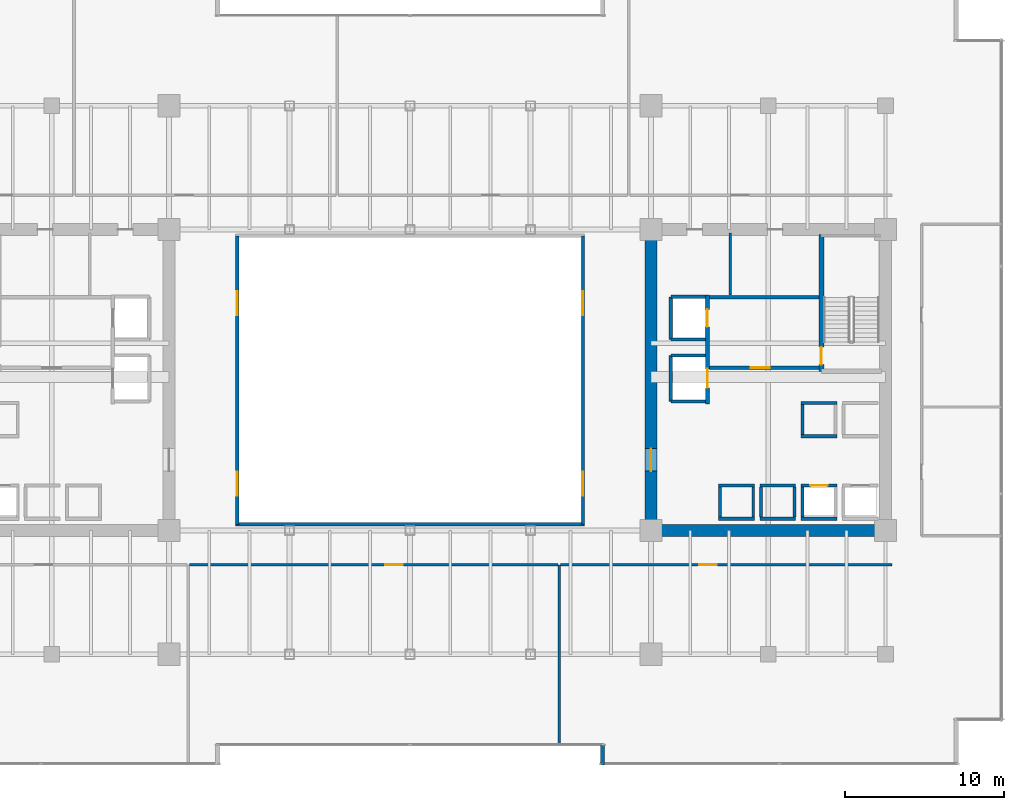
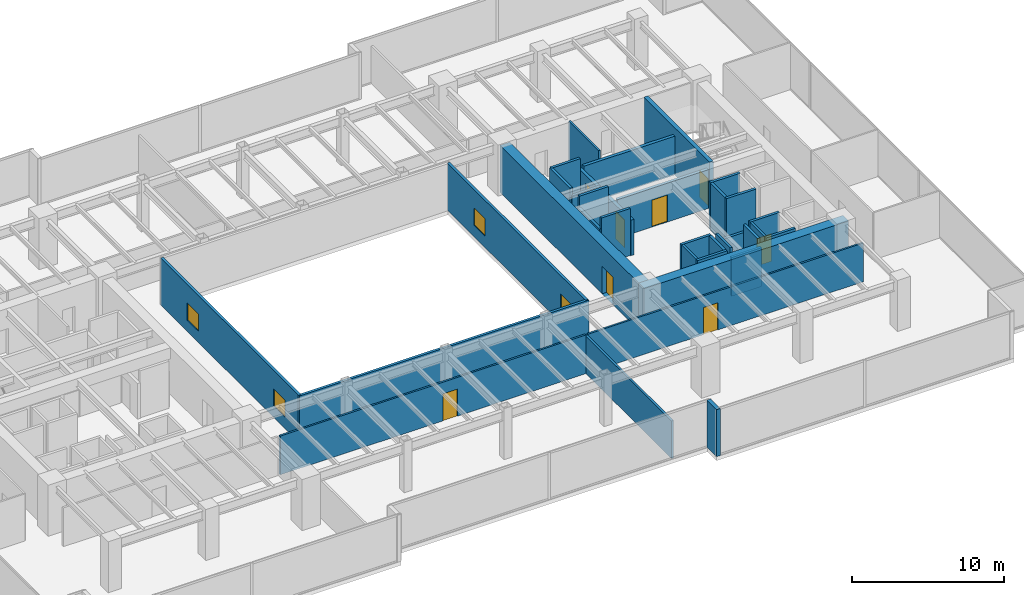
# One storey, part 30 of 35: 34 walls, 8 doors, 4 windows, 12 openings.
"""IFC4 building model written with IfcOpenShell, lengths in metres."""

from ifc_helpers import new_model, si_unit, direction, frame, frame_2d, origin, place, context, subcontext, project, spatial, rectangle, extrude, source, transform, mapped, material, layer, layer_set, type_object, type_shapes, element, fill, save


model = new_model("IFC4")

# Units and contexts
model_context = context("Model", 3, precision=1e-05, world=origin(), true_north=direction((0.0, 1.0)))
body_context = subcontext(model_context, "Body", "Model", "MODEL_VIEW")
ifc_project = project(units=[si_unit("LENGTHUNIT", "METRE"), si_unit("AREAUNIT", "SQUARE_METRE"), si_unit("VOLUMEUNIT", "CUBIC_METRE"), si_unit("PLANEANGLEUNIT", "RADIAN"), si_unit("MASSUNIT", "GRAM", prefix="KILO")], contexts=[model_context])

# Site, building, storey
site_placement = place(None, origin())
site = spatial("IfcSite", under=ifc_project, at=site_placement, CompositionType="ELEMENT")
building_placement = place(site_placement, origin())
building = spatial("IfcBuilding", under=site, at=building_placement, Name="Haelvirn Gate Laboratories", CompositionType="ELEMENT")
storey_placement = place(building_placement, frame((0.0, 0.0, 90.800048828125)))
storey = spatial("IfcBuildingStorey", under=building, at=storey_placement, Name="L22", CompositionType="ELEMENT", Elevation=90.800048828125)

# Walls
ifc_material_1 = material(Name="Thermally-broken bronze aluminium rainscreen & mineral wool", Category="aluminium")
ifc_layer_1 = layer(ifc_material_1, 0.280029296875, Name="EW-TERR-280")
ifc_layer_set_1 = layer_set([ifc_layer_1], Name="Thermally-broken bronze aluminium rainscreen & mineral wool")
wall_type_1 = type_object("IfcWallType", Name="EW-TERR-280", PredefinedType="STANDARD", material=ifc_layer_set_1)
wall_1_placement = place(storey_placement, frame((49.5400390625, 1.2880859375, 0.0), z_axis=(0.0, 0.0, 1.0), x_axis=(0.0, -1.0, 0.0)))
element("IfcWall", 1, at=wall_1_placement, inside=storey, type_object=wall_type_1, Name="L22 Atrium Recess Bronze Return Wall 03", PredefinedType="STANDARD", context=body_context, shape_type="SweptSolid", body=[
    extrude(rectangle(XDim=1.2880859375, YDim=0.280029296875, at=frame_2d((0.64404296875, 0.0))), origin(), (0.0, 0.0, 1.0), 3.780029296875),
])
ifc_material_2 = material(Name="Double-layer acoustic gypsum laboratory partition", Category="gypsum")
ifc_layer_2 = layer(ifc_material_2, 0.159912109375, Name="IW-ACOUST-160")
ifc_layer_set_2 = layer_set([ifc_layer_2], Name="Double-layer acoustic gypsum laboratory partition")
wall_type_2 = type_object("IfcWallType", Name="IW-ACOUST-160", PredefinedType="PARTITIONING", material=ifc_layer_set_2)
wall_2_placement = place(storey_placement, frame((46.800048828125, 1.31005859375, 0.0), z_axis=(0.0, 0.0, 1.0), x_axis=(0.0, 1.0, 0.0)))
element("IfcWall", 2, at=wall_2_placement, inside=storey, type_object=wall_type_2, Name="L22 Interior Wall IW-L22-SDIV-02", PredefinedType="PARTITIONING", context=body_context, shape_type="SweptSolid", body=[
    extrude(rectangle(XDim=11.329833984375, YDim=0.159912109375, at=frame_2d((5.6650390625, 0.0))), origin(), (0.0, 0.0, 1.0), 3.014892578125),
])

# Wall, openings, windows
ifc_material_3 = material(Name="Tempered fire-rated borosilicate glass & anodised aluminium", Category="aluminium")
ifc_layer_3 = layer(ifc_material_3, 0.195068359375, Name="IW-GLAZ-200")
ifc_layer_set_3 = layer_set([ifc_layer_3], Name="Tempered fire-rated borosilicate glass & anodised aluminium")
wall_type_3 = type_object("IfcWallType", Name="IW-GLAZ-200", PredefinedType="SOLIDWALL", material=ifc_layer_set_3)
wall_3_placement = place(storey_placement, frame((26.5, 15.199951171875, 0.0), z_axis=(0.0, 0.0, 1.0), x_axis=(0.0, 1.0, 0.0)))
wall_3 = element("IfcWall", 3, at=wall_3_placement, inside=storey, type_object=wall_type_3, Name="L22 Interior Wall IW-L22-ATRIUM-W", PredefinedType="SOLIDWALL", context=body_context, shape_type="SweptSolid", body=[
    extrude(rectangle(XDim=18.199951171875, YDim=0.195068359375, at=frame_2d((9.10009765625, 0.0))), origin(), (0.0, 0.0, 1.0), 3.780029296875),
])
opening_1_placement = place(wall_3_placement, frame((1.800048828125, 0.0, 0.89990234375)))
opening_1 = element("IfcOpeningElement", 4, at=opening_1_placement, cuts=wall_3, Name="Opening W5", PredefinedType="OPENING", context=body_context, shape_type="SweptSolid", body=[
    extrude(rectangle(XDim=1.5, YDim=1.39990234375, at=frame_2d((0.75, 0.699951171875))), frame((0.0, 0.107421875, 0.0), z_axis=(0.0, -1.0, 0.0), x_axis=(1.0, 0.0, 0.0)), (0.0, 0.0, 1.0), 0.215087890625),
])
opening_2_placement = place(wall_3_placement, frame((13.199951171875, 0.0, 0.89990234375)))
opening_2 = element("IfcOpeningElement", 5, at=opening_2_placement, cuts=wall_3, Name="Opening W5", PredefinedType="OPENING", context=body_context, shape_type="SweptSolid", body=[
    extrude(rectangle(XDim=1.5, YDim=1.39990234375, at=frame_2d((0.75, 0.699951171875))), frame((0.0, 0.107421875, 0.0), z_axis=(0.0, -1.0, 0.0), x_axis=(1.0, 0.0, 0.0)), (0.0, 0.0, 1.0), 0.215087890625),
])
ifc_material_4 = material(Name="Fire-rated EI 120 borosilicate atrium vision glazing", Category="glass")
window_type = type_object("IfcWindowType", Name="WN-ATR-1500", PartitioningType="SINGLE_PANEL", PredefinedType="WINDOW", material=ifc_material_4)
shared_shape_1 = source(origin(), body_context, "Body", "SweptSolid", [
    extrude(rectangle(XDim=1.5, YDim=1.39990234375, at=frame_2d((0.75, 0.699951171875))), frame((0.0, 0.030029296875, 0.0), z_axis=(0.0, -1.0, 0.0), x_axis=(1.0, 0.0, 0.0)), (0.0, 0.0, 1.0), 0.06005859375),
])
type_shapes(window_type, [shared_shape_1])
window_1_placement = place(opening_1_placement, origin())
window_1 = element("IfcWindow", 6, at=window_1_placement, inside=storey, type_object=window_type, Name="L22 Atrium Observation Window 1", OverallHeight=1.39990234375, OverallWidth=1.5, PartitioningType="SINGLE_PANEL", PredefinedType="WINDOW", context=body_context, shape_type="MappedRepresentation", body=[
    mapped(shared_shape_1, transform((0.0, 0.0, 0.0), scale=1.0)),
])
fill(opening_1, window_1)
window_2_placement = place(opening_2_placement, origin())
window_2 = element("IfcWindow", 7, at=window_2_placement, inside=storey, type_object=window_type, Name="L22 Atrium Observation Window 2", OverallHeight=1.39990234375, OverallWidth=1.5, PartitioningType="SINGLE_PANEL", PredefinedType="WINDOW", context=body_context, shape_type="MappedRepresentation", body=[
    mapped(shared_shape_1, transform((0.0, 0.0, 0.0), scale=1.0)),
])
fill(opening_2, window_2)

wall_4_placement = place(storey_placement, frame((48.300048828125, 15.199951171875, 0.0), z_axis=(0.0, 0.0, 1.0), x_axis=(0.0, 1.0, 0.0)))
wall_4 = element("IfcWall", 8, at=wall_4_placement, inside=storey, type_object=wall_type_3, Name="L22 Interior Wall IW-L22-ATRIUM-E", PredefinedType="SOLIDWALL", context=body_context, shape_type="SweptSolid", body=[
    extrude(rectangle(XDim=18.199951171875, YDim=0.195068359375, at=frame_2d((9.10009765625, 0.0))), origin(), (0.0, 0.0, 1.0), 3.780029296875),
])
opening_3_placement = place(wall_4_placement, frame((1.800048828125, 0.0, 0.89990234375)))
opening_3 = element("IfcOpeningElement", 9, at=opening_3_placement, cuts=wall_4, Name="Opening W5", PredefinedType="OPENING", context=body_context, shape_type="SweptSolid", body=[
    extrude(rectangle(XDim=1.5, YDim=1.39990234375, at=frame_2d((0.75, 0.699951171875))), frame((0.0, 0.107421875, 0.0), z_axis=(0.0, -1.0, 0.0), x_axis=(1.0, 0.0, 0.0)), (0.0, 0.0, 1.0), 0.215087890625),
])
opening_4_placement = place(wall_4_placement, frame((13.199951171875, 0.0, 0.89990234375)))
opening_4 = element("IfcOpeningElement", 10, at=opening_4_placement, cuts=wall_4, Name="Opening W5", PredefinedType="OPENING", context=body_context, shape_type="SweptSolid", body=[
    extrude(rectangle(XDim=1.5, YDim=1.39990234375, at=frame_2d((0.75, 0.699951171875))), frame((0.0, 0.107421875, 0.0), z_axis=(0.0, -1.0, 0.0), x_axis=(1.0, 0.0, 0.0)), (0.0, 0.0, 1.0), 0.215087890625),
])
window_3_placement = place(opening_3_placement, origin())
window_3 = element("IfcWindow", 11, at=window_3_placement, inside=storey, type_object=window_type, Name="L22 Atrium Observation Window 1", OverallHeight=1.39990234375, OverallWidth=1.5, PartitioningType="SINGLE_PANEL", PredefinedType="WINDOW", context=body_context, shape_type="MappedRepresentation", body=[
    mapped(shared_shape_1, transform((0.0, 0.0, 0.0), scale=1.0)),
])
fill(opening_3, window_3)
window_4_placement = place(opening_4_placement, origin())
window_4 = element("IfcWindow", 12, at=window_4_placement, inside=storey, type_object=window_type, Name="L22 Atrium Observation Window 2", OverallHeight=1.39990234375, OverallWidth=1.5, PartitioningType="SINGLE_PANEL", PredefinedType="WINDOW", context=body_context, shape_type="MappedRepresentation", body=[
    mapped(shared_shape_1, transform((0.0, 0.0, 0.0), scale=1.0)),
])
fill(opening_4, window_4)

# Wall
wall_5_placement = place(storey_placement, frame((26.39990234375, 15.199951171875, 0.0), z_axis=(0.0, 0.0, 1.0), x_axis=(1.0, 0.0, 0.0)))
element("IfcWall", 13, at=wall_5_placement, inside=storey, type_object=wall_type_3, Name="L22 Interior Wall IW-L22-ATRIUM-S", PredefinedType="SOLIDWALL", context=body_context, shape_type="SweptSolid", body=[
    extrude(rectangle(XDim=22.0, YDim=0.195068359375, at=frame_2d((11.0, 0.0))), origin(), (0.0, 0.0, 1.0), 3.780029296875),
])

# Wall, opening, door
ifc_material_5 = material(Name="Acoustic mineral-wool gypsum board partition", Category="gypsum")
ifc_layer_4 = layer(ifc_material_5, 0.139892578125, Name="IW-PART-140")
ifc_layer_set_4 = layer_set([ifc_layer_4], Name="Acoustic mineral-wool gypsum board partition")
wall_type_4 = type_object("IfcWallType", Name="IW-PART-140", PredefinedType="PARTITIONING", material=ifc_layer_set_4)
wall_6_placement = place(storey_placement, frame((23.47998046875, 12.639892578125, 0.0), z_axis=(0.0, 0.0, 1.0), x_axis=(1.0, 0.0, 0.0)))
wall_6 = element("IfcWall", 14, at=wall_6_placement, inside=storey, type_object=wall_type_4, Name="L22 Interior Wall IW-L22-SCORR-02", PredefinedType="PARTITIONING", context=body_context, shape_type="SweptSolid", body=[
    extrude(rectangle(XDim=23.239990234375, YDim=0.139892578125, at=frame_2d((11.6201171875, 0.0))), origin(), (0.0, 0.0, 1.0), 3.114990234375),
])
opening_5_placement = place(wall_6_placement, frame((12.3564453125, 0.0, 0.0)))
opening_5 = element("IfcOpeningElement", 15, at=opening_5_placement, cuts=wall_6, Name="Opening D1", PredefinedType="OPENING", context=body_context, shape_type="SweptSolid", body=[
    extrude(rectangle(XDim=1.10009765625, YDim=2.179931640625, at=frame_2d((0.550048828125, 1.08984375))), frame((0.0, 0.080078125, 0.0), z_axis=(0.0, -1.0, 0.0), x_axis=(1.0, 0.0, 0.0)), (0.0, 0.0, 1.0), 0.159912109375),
])
ifc_material_6 = material(Name="Vision-panel acoustic solid-core timber lab door", Category="wood")
door_type_1 = type_object("IfcDoorType", Name="DR-LAB-1100", OperationType="NOTDEFINED", PredefinedType="DOOR", material=ifc_material_6)
shared_shape_2 = source(origin(), body_context, "Body", "SweptSolid", [
    extrude(rectangle(XDim=1.10009765625, YDim=2.179931640625, at=frame_2d((0.550048828125, 1.08984375))), frame((0.0, 0.02490234375, 0.0), z_axis=(0.0, -1.0, 0.0), x_axis=(1.0, 0.0, 0.0)), (0.0, 0.0, 1.0), 0.050048828125),
])
type_shapes(door_type_1, [shared_shape_2])
door_1_placement = place(opening_5_placement, origin())
door_1 = element("IfcDoor", 16, at=door_1_placement, inside=storey, type_object=door_type_1, Name="L22 Computational Write-Up Office Door S2", OperationType="SINGLE_SWING_RIGHT", OverallHeight=2.179931640625, OverallWidth=1.10009765625, PredefinedType="DOOR", context=body_context, shape_type="MappedRepresentation", body=[
    mapped(shared_shape_2, transform((0.0, 0.0, 0.0), scale=1.0)),
])
fill(opening_5, door_1)

wall_7_placement = place(storey_placement, frame((46.8798828125, 12.639892578125, 0.0), z_axis=(0.0, 0.0, 1.0), x_axis=(1.0, 0.0, 0.0)))
wall_7 = element("IfcWall", 17, at=wall_7_placement, inside=storey, type_object=wall_type_4, Name="L22 Interior Wall IW-L22-SCORR-03", PredefinedType="PARTITIONING", context=body_context, shape_type="SweptSolid", body=[
    extrude(rectangle(XDim=20.940185546875, YDim=0.139892578125, at=frame_2d((10.47021484375, 0.0))), origin(), (0.0, 0.0, 1.0), 3.114990234375),
])
opening_6_placement = place(wall_7_placement, frame((8.771484375, 0.0, 0.0)))
opening_6 = element("IfcOpeningElement", 18, at=opening_6_placement, cuts=wall_7, Name="Opening D1", PredefinedType="OPENING", context=body_context, shape_type="SweptSolid", body=[
    extrude(rectangle(XDim=1.10009765625, YDim=2.179931640625, at=frame_2d((0.550048828125, 1.08984375))), frame((0.0, 0.080078125, 0.0), z_axis=(0.0, -1.0, 0.0), x_axis=(1.0, 0.0, 0.0)), (0.0, 0.0, 1.0), 0.159912109375),
])
door_2_placement = place(opening_6_placement, origin())
door_2 = element("IfcDoor", 19, at=door_2_placement, inside=storey, type_object=door_type_1, Name="L22 Bioinformatics Dry-Lab Workspace Door S3", OperationType="SINGLE_SWING_LEFT", OverallHeight=2.179931640625, OverallWidth=1.10009765625, PredefinedType="DOOR", context=body_context, shape_type="MappedRepresentation", body=[
    mapped(shared_shape_2, transform((0.0, 0.0, 0.0), scale=1.0)),
])
fill(opening_6, door_2)

# Walls
ifc_material_7 = material(Name="Cement-board restroom plumbing chase wall", Category="gypsum")
ifc_layer_5 = layer(ifc_material_7, 0.155029296875, Name="IW-PLUMB-160")
ifc_layer_set_5 = layer_set([ifc_layer_5], Name="Cement-board restroom plumbing chase wall")
wall_type_5 = type_object("IfcWallType", Name="IW-PLUMB-160", PredefinedType="PLUMBINGWALL", material=ifc_layer_set_5)
wall_8_placement = place(storey_placement, frame((57.610107421875, 29.64990234375, 0.0), z_axis=(0.0, 0.0, 1.0), x_axis=(0.0, 1.0, 0.0)))
element("IfcWall", 20, at=wall_8_placement, inside=storey, type_object=wall_type_5, Name="L22 Interior Wall IW-L22-E-CDIV-1", PredefinedType="PLUMBINGWALL", context=body_context, shape_type="SweptSolid", body=[
    extrude(rectangle(XDim=3.93017578125, YDim=0.155029296875, at=frame_2d((1.965087890625, 0.0))), origin(), (0.0, 0.0, 1.0), 3.780029296875),
])
ifc_material_8 = material(Name="Concrete C40/50", Category="concrete")
ifc_layer_6 = layer(ifc_material_8, 0.179931640625, Name="IW-SHAFT-180")
ifc_layer_set_6 = layer_set([ifc_layer_6], Name="Concrete C40/50")
wall_type_6 = type_object("IfcWallType", Name="IW-SHAFT-180", PredefinedType="SOLIDWALL", material=ifc_layer_set_6)
for number, where, z_axis, x_axis, name in (
    (21, (62.14990234375, 15.64990234375, 0.0), (0.0, 0.0, 1.0), (0.0, 1.0, 0.0), "L22 Interior Wall IW-L22-PL4-SD"),
    (22, (59.550048828125, 15.64990234375, 0.0), (0.0, 0.0, 1.0), (0.0, 1.0, 0.0), "L22 Interior Wall IW-L22-PL7-SD"),
    (23, (61.64990234375, 15.64990234375, 0.0), (0.0, 0.0, 1.0), (0.0, 1.0, 0.0), "L22 Interior Wall IW-L22-PL7-SDE"),
    (24, (56.949951171875, 15.64990234375, 0.0), (0.0, 0.0, 1.0), (0.0, 1.0, 0.0), "L22 Interior Wall IW-L22-PL8-SD"),
    (25, (59.050048828125, 15.64990234375, 0.0), (0.0, 0.0, 1.0), (0.0, 1.0, 0.0), "L22 Interior Wall IW-L22-PL8-SDE"),
):
    element("IfcWall", number, at=place(storey_placement, frame(where, z_axis=z_axis, x_axis=x_axis)), inside=storey, type_object=wall_type_6, Name=name, PredefinedType="SOLIDWALL", context=body_context, shape_type="SweptSolid", body=[
        extrude(rectangle(XDim=1.900146484375, YDim=0.179931640625, at=frame_2d((0.9501953125, 0.0))), origin(), (0.0, 0.0, 1.0), 3.780029296875),
    ])
wall_9_placement = place(storey_placement, frame((62.14990234375, 20.85009765625, 0.0), z_axis=(0.0, 0.0, 1.0), x_axis=(0.0, 1.0, 0.0)))
element("IfcWall", 26, at=wall_9_placement, inside=storey, type_object=wall_type_6, Name="L22 Interior Wall IW-L22-PL12-SD", PredefinedType="SOLIDWALL", context=body_context, shape_type="SweptSolid", body=[
    extrude(rectangle(XDim=1.89990234375, YDim=0.179931640625, at=frame_2d((0.949951171875, 0.0))), origin(), (0.0, 0.0, 1.0), 3.780029296875),
])

# Wall, opening, door
ifc_layer_7 = layer(ifc_material_8, 0.199951171875, Name="IW-SHAFT-200")
ifc_layer_set_7 = layer_set([ifc_layer_7], Name="Concrete C40/50")
wall_type_7 = type_object("IfcWallType", Name="IW-SHAFT-200", PredefinedType="SOLIDWALL", material=ifc_layer_set_7)
wall_10_placement = place(storey_placement, frame((62.070068359375, 17.64990234375, 0.0), z_axis=(0.0, 0.0, 1.0), x_axis=(1.0, 0.0, 0.0)))
wall_10 = element("IfcWall", 27, at=wall_10_placement, inside=storey, type_object=wall_type_7, Name="L22 Interior Wall IW-L22-PL4-FR", PredefinedType="SOLIDWALL", context=body_context, shape_type="SweptSolid", body=[
    extrude(rectangle(XDim=2.260009765625, YDim=0.199951171875, at=frame_2d((1.1298828125, 0.0))), origin(), (0.0, 0.0, 1.0), 3.780029296875),
])
opening_7_placement = place(wall_10_placement, frame((0.580078125, 0.0, 0.0)))
opening_7 = element("IfcOpeningElement", 28, at=opening_7_placement, cuts=wall_10, Name="Opening LD2", PredefinedType="OPENING", context=body_context, shape_type="SweptSolid", body=[
    extrude(rectangle(XDim=1.10009765625, YDim=2.219970703125, at=frame_2d((0.550048828125, 1.10986328125))), frame((0.0, 0.10986328125, 0.0), z_axis=(0.0, -1.0, 0.0), x_axis=(1.0, 0.0, 0.0)), (0.0, 0.0, 1.0), 0.219970703125),
])
ifc_material_9 = material(Name="Bronze stainless 316L sliding lift landing door")
door_type_2 = type_object("IfcDoorType", Name="DR-LD-1100", OperationType="NOTDEFINED", PredefinedType="USERDEFINED", material=ifc_material_9)
shared_shape_3 = source(origin(), body_context, "Body", "SweptSolid", [
    extrude(rectangle(XDim=1.10009765625, YDim=2.219970703125, at=frame_2d((0.550048828125, 1.10986328125))), frame((0.0, 0.02490234375, 0.0), z_axis=(0.0, -1.0, 0.0), x_axis=(1.0, 0.0, 0.0)), (0.0, 0.0, 1.0), 0.050048828125),
])
type_shapes(door_type_2, [shared_shape_3])
door_3_placement = place(opening_7_placement, origin())
door_3 = element("IfcDoor", 29, at=door_3_placement, inside=storey, type_object=door_type_2, Name="L22 Passenger Lift PL4 Landing Door", ObjectType="LANDING_DOOR", OperationType="SLIDING_TO_RIGHT", OverallHeight=2.219970703125, OverallWidth=1.10009765625, PredefinedType="USERDEFINED", context=body_context, shape_type="MappedRepresentation", body=[
    mapped(shared_shape_3, transform((0.0, 0.0, 0.0), scale=1.0)),
])
fill(opening_7, door_3)

# Walls
wall_11_placement = place(storey_placement, frame((62.070068359375, 15.550048828125, 0.0), z_axis=(0.0, 0.0, 1.0), x_axis=(1.0, 0.0, 0.0)))
element("IfcWall", 30, at=wall_11_placement, inside=storey, type_object=wall_type_7, Name="L22 Interior Wall IW-L22-PL4-BK", PredefinedType="SOLIDWALL", context=body_context, shape_type="SweptSolid", body=[
    extrude(rectangle(XDim=2.260009765625, YDim=0.199951171875, at=frame_2d((1.1298828125, 0.0))), origin(), (0.0, 0.0, 1.0), 3.780029296875),
])
for number, where, z_axis, x_axis, name in (
    (31, (59.469970703125, 17.64990234375, 0.0), (0.0, 0.0, 1.0), (1.0, 0.0, 0.0), "L22 Interior Wall IW-L22-PL7-FR"),
    (32, (59.469970703125, 15.550048828125, 0.0), (0.0, 0.0, 1.0), (1.0, 0.0, 0.0), "L22 Interior Wall IW-L22-PL7-BK"),
):
    element("IfcWall", number, at=place(storey_placement, frame(where, z_axis=z_axis, x_axis=x_axis)), inside=storey, type_object=wall_type_7, Name=name, PredefinedType="SOLIDWALL", context=body_context, shape_type="SweptSolid", body=[
        extrude(rectangle(XDim=2.260009765625, YDim=0.199951171875, at=frame_2d((1.1298828125, 0.0))), origin(), (0.0, 0.0, 1.0), 3.114990234375),
    ])
for number, where, z_axis, x_axis, name in (
    (33, (56.8701171875, 17.64990234375, 0.0), (0.0, 0.0, 1.0), (1.0, 0.0, 0.0), "L22 Interior Wall IW-L22-PL8-FR"),
    (34, (56.8701171875, 15.550048828125, 0.0), (0.0, 0.0, 1.0), (1.0, 0.0, 0.0), "L22 Interior Wall IW-L22-PL8-BK"),
):
    element("IfcWall", number, at=place(storey_placement, frame(where, z_axis=z_axis, x_axis=x_axis)), inside=storey, type_object=wall_type_7, Name=name, PredefinedType="SOLIDWALL", context=body_context, shape_type="SweptSolid", body=[
        extrude(rectangle(XDim=2.259765625, YDim=0.199951171875, at=frame_2d((1.1298828125, 0.0))), origin(), (0.0, 0.0, 1.0), 3.780029296875),
    ])
for number, where, z_axis, x_axis, name in (
    (35, (62.070068359375, 20.75, 0.0), (0.0, 0.0, 1.0), (1.0, 0.0, 0.0), "L22 Interior Wall IW-L22-PL12-FR"),
    (36, (62.070068359375, 22.85009765625, 0.0), (0.0, 0.0, 1.0), (1.0, 0.0, 0.0), "L22 Interior Wall IW-L22-PL12-BK"),
):
    element("IfcWall", number, at=place(storey_placement, frame(where, z_axis=z_axis, x_axis=x_axis)), inside=storey, type_object=wall_type_7, Name=name, PredefinedType="SOLIDWALL", context=body_context, shape_type="SweptSolid", body=[
        extrude(rectangle(XDim=2.260009765625, YDim=0.199951171875, at=frame_2d((1.1298828125, 0.0))), origin(), (0.0, 0.0, 1.0), 3.780029296875),
    ])
wall_12_placement = place(storey_placement, frame((53.85009765625, 26.85009765625, 0.0), z_axis=(0.0, 0.0, 1.0), x_axis=(0.0, 1.0, 0.0)))
element("IfcWall", 37, at=wall_12_placement, inside=storey, type_object=wall_type_7, Name="L22 Interior Wall IW-L22-FL2-BK", PredefinedType="SOLIDWALL", context=body_context, shape_type="SweptSolid", body=[
    extrude(rectangle(XDim=2.699951171875, YDim=0.199951171875, at=frame_2d((1.35009765625, 0.0))), origin(), (0.0, 0.0, 1.0), 3.780029296875),
])
wall_13_placement = place(storey_placement, frame((53.85009765625, 29.550048828125, 0.0), z_axis=(0.0, 0.0, 1.0), x_axis=(1.0, 0.0, 0.0)))
element("IfcWall", 38, at=wall_13_placement, inside=storey, type_object=wall_type_7, Name="L22 Interior Wall IW-L22-FL2-N", PredefinedType="SOLIDWALL", context=body_context, shape_type="SweptSolid", body=[
    extrude(rectangle(XDim=2.18994140625, YDim=0.199951171875, at=frame_2d((1.094970703125, 0.0))), origin(), (0.0, 0.0, 1.0), 3.780029296875),
])
wall_14_placement = place(storey_placement, frame((53.85009765625, 26.85009765625, 0.0), z_axis=(0.0, 0.0, 1.0), x_axis=(1.0, 0.0, 0.0)))
element("IfcWall", 39, at=wall_14_placement, inside=storey, type_object=wall_type_7, Name="L22 Interior Wall IW-L22-FL2-S", PredefinedType="SOLIDWALL", context=body_context, shape_type="SweptSolid", body=[
    extrude(rectangle(XDim=2.18994140625, YDim=0.199951171875, at=frame_2d((1.094970703125, 0.0))), origin(), (0.0, 0.0, 1.0), 3.177001953125),
])
wall_15_placement = place(storey_placement, frame((53.85009765625, 22.949951171875, 0.0), z_axis=(0.0, 0.0, 1.0), x_axis=(0.0, 1.0, 0.0)))
element("IfcWall", 40, at=wall_15_placement, inside=storey, type_object=wall_type_7, Name="L22 Interior Wall IW-L22-SL2-BK", PredefinedType="SOLIDWALL", context=body_context, shape_type="SweptSolid", body=[
    extrude(rectangle(XDim=2.900146484375, YDim=0.199951171875, at=frame_2d((1.4501953125, 0.0))), origin(), (0.0, 0.0, 1.0), 2.864990234375),
])
for number, where, z_axis, x_axis, name in (
    (41, (53.85009765625, 25.85009765625, 0.0), (0.0, 0.0, 1.0), (1.0, 0.0, 0.0), "L22 Interior Wall IW-L22-SL2-N"),
    (42, (53.85009765625, 22.949951171875, 0.0), (0.0, 0.0, 1.0), (1.0, 0.0, 0.0), "L22 Interior Wall IW-L22-SL2-S"),
):
    element("IfcWall", number, at=place(storey_placement, frame(where, z_axis=z_axis, x_axis=x_axis)), inside=storey, type_object=wall_type_7, Name=name, PredefinedType="SOLIDWALL", context=body_context, shape_type="SweptSolid", body=[
        extrude(rectangle(XDim=2.18994140625, YDim=0.199951171875, at=frame_2d((1.094970703125, 0.0))), origin(), (0.0, 0.0, 1.0), 3.780029296875),
    ])

# Wall, opening, door
ifc_layer_8 = layer(ifc_material_8, 0.239990234375, Name="IW-SHAFT-240")
ifc_layer_set_8 = layer_set([ifc_layer_8], Name="Concrete C40/50")
wall_type_8 = type_object("IfcWallType", Name="IW-SHAFT-240", PredefinedType="SOLIDWALL", material=ifc_layer_set_8)
wall_16_placement = place(storey_placement, frame((56.280029296875, 25.080078125, 0.0), z_axis=(0.0, 0.0, 1.0), x_axis=(1.0, 0.0, 0.0)))
wall_16 = element("IfcWall", 43, at=wall_16_placement, inside=storey, type_object=wall_type_8, Name="L22 Interior Wall IW-L22-E-FF-S", PredefinedType="SOLIDWALL", context=body_context, shape_type="SweptSolid", body=[
    extrude(rectangle(XDim=6.919921875, YDim=0.239990234375, at=frame_2d((3.4599609375, 0.0))), origin(), (0.0, 0.0, 1.0), 3.114990234375),
])
opening_8_placement = place(wall_16_placement, frame((2.60009765625, 0.0, 0.0)))
opening_8 = element("IfcOpeningElement", 44, at=opening_8_placement, cuts=wall_16, Name="Opening FD2", PredefinedType="OPENING", context=body_context, shape_type="SweptSolid", body=[
    extrude(rectangle(XDim=1.199951171875, YDim=2.159912109375, at=frame_2d((0.60009765625, 1.080078125))), frame((0.0, 0.1298828125, 0.0), z_axis=(0.0, -1.0, 0.0), x_axis=(1.0, 0.0, 0.0)), (0.0, 0.0, 1.0), 0.260009765625),
])
ifc_material_10 = material(Name="Fire-rated steel SM355 compartment door", Category="steel")
door_type_3 = type_object("IfcDoorType", Name="DR-FD-1200", OperationType="NOTDEFINED", PredefinedType="DOOR", material=ifc_material_10)
shared_shape_4 = source(origin(), body_context, "Body", "SweptSolid", [
    extrude(rectangle(XDim=1.199951171875, YDim=2.159912109375, at=frame_2d((0.60009765625, 1.080078125))), frame((0.0, 0.02490234375, 0.0), z_axis=(0.0, -1.0, 0.0), x_axis=(1.0, 0.0, 0.0)), (0.0, 0.0, 1.0), 0.050048828125),
])
type_shapes(door_type_3, [shared_shape_4])
door_4_placement = place(opening_8_placement, origin())
door_4 = element("IfcDoor", 45, at=door_4_placement, inside=storey, type_object=door_type_3, Name="L22 East Firefighting Lobby Door", OperationType="SINGLE_SWING_LEFT", OverallHeight=2.159912109375, OverallWidth=1.199951171875, PredefinedType="DOOR", context=body_context, shape_type="MappedRepresentation", body=[
    mapped(shared_shape_4, transform((0.0, 0.0, 0.0), scale=1.0)),
])
fill(opening_8, door_4)

# Wall
wall_17_placement = place(storey_placement, frame((56.280029296875, 29.52001953125, 0.0), z_axis=(0.0, 0.0, 1.0), x_axis=(1.0, 0.0, 0.0)))
element("IfcWall", 46, at=wall_17_placement, inside=storey, type_object=wall_type_8, Name="L22 Interior Wall IW-L22-E-FF-N", PredefinedType="SOLIDWALL", context=body_context, shape_type="SweptSolid", body=[
    extrude(rectangle(XDim=6.919921875, YDim=0.239990234375, at=frame_2d((3.4599609375, 0.0))), origin(), (0.0, 0.0, 1.0), 3.114990234375),
])

# Wall, openings, doors
wall_18_placement = place(storey_placement, frame((56.159912109375, 22.800048828125, 0.0), z_axis=(0.0, 0.0, 1.0), x_axis=(0.0, 1.0, 0.0)))
wall_18 = element("IfcWall", 47, at=wall_18_placement, inside=storey, type_object=wall_type_8, Name="L22 Interior Wall IW-L22-E-FF-E", PredefinedType="SOLIDWALL", context=body_context, shape_type="SweptSolid", body=[
    extrude(rectangle(XDim=6.849853515625, YDim=0.239990234375, at=frame_2d((3.4248046875, 0.0))), origin(), (0.0, 0.0, 1.0), 2.864990234375),
])
opening_9_placement = place(wall_18_placement, frame((4.85009765625, 0.0, 0.0)))
opening_9 = element("IfcOpeningElement", 48, at=opening_9_placement, cuts=wall_18, Name="Opening LD2", PredefinedType="OPENING", context=body_context, shape_type="SweptSolid", body=[
    extrude(rectangle(XDim=1.10009765625, YDim=2.219970703125, at=frame_2d((0.550048828125, 1.10986328125))), frame((0.0, 0.1298828125, 0.0), z_axis=(0.0, -1.0, 0.0), x_axis=(1.0, 0.0, 0.0)), (0.0, 0.0, 1.0), 0.260009765625),
])
opening_10_placement = place(wall_18_placement, frame((1.0, 0.0, 0.0)))
opening_10 = element("IfcOpeningElement", 49, at=opening_10_placement, cuts=wall_18, Name="Opening LD1", PredefinedType="OPENING", context=body_context, shape_type="SweptSolid", body=[
    extrude(rectangle(XDim=1.199951171875, YDim=2.219970703125, at=frame_2d((0.60009765625, 1.10986328125))), frame((0.0, 0.1298828125, 0.0), z_axis=(0.0, -1.0, 0.0), x_axis=(1.0, 0.0, 0.0)), (0.0, 0.0, 1.0), 0.260009765625),
])
door_5_placement = place(opening_9_placement, origin())
door_5 = element("IfcDoor", 50, at=door_5_placement, inside=storey, type_object=door_type_2, Name="L22 Firefighting Lift FL2 Landing Door", ObjectType="LANDING_DOOR", OperationType="SLIDING_TO_RIGHT", OverallHeight=2.219970703125, OverallWidth=1.10009765625, PredefinedType="USERDEFINED", context=body_context, shape_type="MappedRepresentation", body=[
    mapped(shared_shape_3, transform((0.0, 0.0, 0.0), scale=1.0)),
])
fill(opening_9, door_5)
ifc_material_11 = material(Name="Stainless steel 316L sliding goods landing door", Category="steel")
door_type_4 = type_object("IfcDoorType", Name="DR-LD-1200", OperationType="NOTDEFINED", PredefinedType="USERDEFINED", material=ifc_material_11)
shared_shape_5 = source(origin(), body_context, "Body", "SweptSolid", [
    extrude(rectangle(XDim=1.199951171875, YDim=2.219970703125, at=frame_2d((0.60009765625, 1.10986328125))), frame((0.0, 0.02490234375, 0.0), z_axis=(0.0, -1.0, 0.0), x_axis=(1.0, 0.0, 0.0)), (0.0, 0.0, 1.0), 0.050048828125),
])
type_shapes(door_type_4, [shared_shape_5])
door_6_placement = place(opening_10_placement, origin())
door_6 = element("IfcDoor", 51, at=door_6_placement, inside=storey, type_object=door_type_4, Name="L22 Service Lift SL2 Landing Door", ObjectType="LANDING_DOOR", OperationType="SLIDING_TO_LEFT", OverallHeight=2.219970703125, OverallWidth=1.199951171875, PredefinedType="USERDEFINED", context=body_context, shape_type="MappedRepresentation", body=[
    mapped(shared_shape_5, transform((0.0, 0.0, 0.0), scale=1.0)),
])
fill(opening_10, door_6)

# Wall
ifc_material_12 = material(Name="Concrete C70/85", Category="concrete")
ifc_layer_9 = layer(ifc_material_12, 0.75, Name="SW-CORE-750")
ifc_layer_set_9 = layer_set([ifc_layer_9], Name="Concrete C70/85")
wall_type_9 = type_object("IfcWallType", Name="SW-CORE-750", PredefinedType="SHEAR", material=ifc_layer_set_9)
wall_19_placement = place(storey_placement, frame((52.22509765625, 14.800048828125, 0.0), z_axis=(0.0, 0.0, 1.0), x_axis=(1.0, 0.0, 0.0)))
element("IfcWall", 52, at=wall_19_placement, inside=storey, type_object=wall_type_9, Name="L22 E Core Shear Wall S", PredefinedType="SHEAR", context=body_context, shape_type="SweptSolid", body=[
    extrude(rectangle(XDim=15.5498046875, YDim=0.75, at=frame_2d((7.77490234375, 0.0))), origin(), (0.0, 0.0, 1.0), 3.780029296875),
])

# Wall, opening, door
wall_20_placement = place(storey_placement, frame((52.60009765625, 15.175048828125, 0.0), z_axis=(0.0, 0.0, 1.0), x_axis=(0.0, 1.0, 0.0)))
wall_20 = element("IfcWall", 53, at=wall_20_placement, inside=storey, type_object=wall_type_9, Name="L22 E Core Shear Wall W", PredefinedType="SHEAR", context=body_context, shape_type="SweptSolid", body=[
    extrude(rectangle(XDim=18.25, YDim=0.75, at=frame_2d((9.125, 0.0))), origin(), (0.0, 0.0, 1.0), 3.780029296875),
])
opening_11_placement = place(wall_20_placement, frame((3.375, 0.0, 0.0)))
opening_11 = element("IfcOpeningElement", 54, at=opening_11_placement, cuts=wall_20, Name="Opening FD1", PredefinedType="OPENING", context=body_context, shape_type="SweptSolid", body=[
    extrude(rectangle(XDim=1.419921875, YDim=2.199951171875, at=frame_2d((0.7099609375, 1.10009765625))), frame((0.0, 0.385009765625, 0.0), z_axis=(0.0, -1.0, 0.0), x_axis=(1.0, 0.0, 0.0)), (0.0, 0.0, 1.0), 0.77001953125),
])
ifc_material_13 = material(Name="Fire-rated double steel SM355 lobby door", Category="steel")
door_type_5 = type_object("IfcDoorType", Name="DR-FD-1400", OperationType="NOTDEFINED", PredefinedType="DOOR", material=ifc_material_13)
shared_shape_6 = source(origin(), body_context, "Body", "SweptSolid", [
    extrude(rectangle(XDim=1.419921875, YDim=2.199951171875, at=frame_2d((0.7099609375, 1.10009765625))), frame((0.0, 0.02490234375, 0.0), z_axis=(0.0, -1.0, 0.0), x_axis=(1.0, 0.0, 0.0)), (0.0, 0.0, 1.0), 0.050048828125),
])
type_shapes(door_type_5, [shared_shape_6])
door_7_placement = place(opening_11_placement, origin())
door_7 = element("IfcDoor", 55, at=door_7_placement, inside=storey, type_object=door_type_5, Name="L22 East Core Lift Lobby Fire Door", OperationType="DOUBLE_DOOR_SINGLE_SWING", OverallHeight=2.199951171875, OverallWidth=1.419921875, PredefinedType="DOOR", context=body_context, shape_type="MappedRepresentation", body=[
    mapped(shared_shape_6, transform((0.0, 0.0, 0.0), scale=1.0)),
])
fill(opening_11, door_7)

ifc_material_14 = material(Name="Concrete C50/60", Category="concrete")
ifc_layer_10 = layer(ifc_material_14, 0.300048828125, Name="SW-STAIR-300")
ifc_layer_set_10 = layer_set([ifc_layer_10], Name="Concrete C50/60")
wall_type_10 = type_object("IfcWallType", Name="SW-STAIR-300", PredefinedType="SHEAR", material=ifc_layer_set_10)
wall_21_placement = place(storey_placement, frame((63.35009765625, 24.85009765625, 0.0), z_axis=(0.0, 0.0, 1.0), x_axis=(0.0, 1.0, 0.0)))
wall_21 = element("IfcWall", 56, at=wall_21_placement, inside=storey, type_object=wall_type_10, Name="L22 E Core Stair Shaft Structural Wall IN", PredefinedType="SHEAR", context=body_context, shape_type="SweptSolid", body=[
    extrude(rectangle(XDim=8.6298828125, YDim=0.300048828125, at=frame_2d((4.31494140625, 0.0))), origin(), (0.0, 0.0, 1.0), 3.780029296875),
])
opening_12_placement = place(wall_21_placement, frame((0.419921875, 0.0, 0.0)))
opening_12 = element("IfcOpeningElement", 57, at=opening_12_placement, cuts=wall_21, Name="Opening FD3", PredefinedType="OPENING", context=body_context, shape_type="SweptSolid", body=[
    extrude(rectangle(XDim=1.10009765625, YDim=2.14990234375, at=frame_2d((0.550048828125, 1.074951171875))), frame((0.0, 0.16015625, 0.0), z_axis=(0.0, -1.0, 0.0), x_axis=(1.0, 0.0, 0.0)), (0.0, 0.0, 1.0), 0.320068359375),
])
ifc_material_15 = material(Name="Fire-rated steel SM355 escape stair door", Category="steel")
door_type_6 = type_object("IfcDoorType", Name="DR-FD-1100", OperationType="NOTDEFINED", PredefinedType="DOOR", material=ifc_material_15)
shared_shape_7 = source(origin(), body_context, "Body", "SweptSolid", [
    extrude(rectangle(XDim=1.10009765625, YDim=2.14990234375, at=frame_2d((0.550048828125, 1.074951171875))), frame((0.0, 0.02490234375, 0.0), z_axis=(0.0, -1.0, 0.0), x_axis=(1.0, 0.0, 0.0)), (0.0, 0.0, 1.0), 0.050048828125),
])
type_shapes(door_type_6, [shared_shape_7])
door_8_placement = place(opening_12_placement, origin())
door_8 = element("IfcDoor", 58, at=door_8_placement, inside=storey, type_object=door_type_6, Name="L22 Escape Stair ST2 Fire Door", OperationType="SINGLE_SWING_RIGHT", OverallHeight=2.14990234375, OverallWidth=1.10009765625, PredefinedType="DOOR", context=body_context, shape_type="MappedRepresentation", body=[
    mapped(shared_shape_7, transform((0.0, 0.0, 0.0), scale=1.0)),
])
fill(opening_12, door_8)

save(model, "model.ifc")
